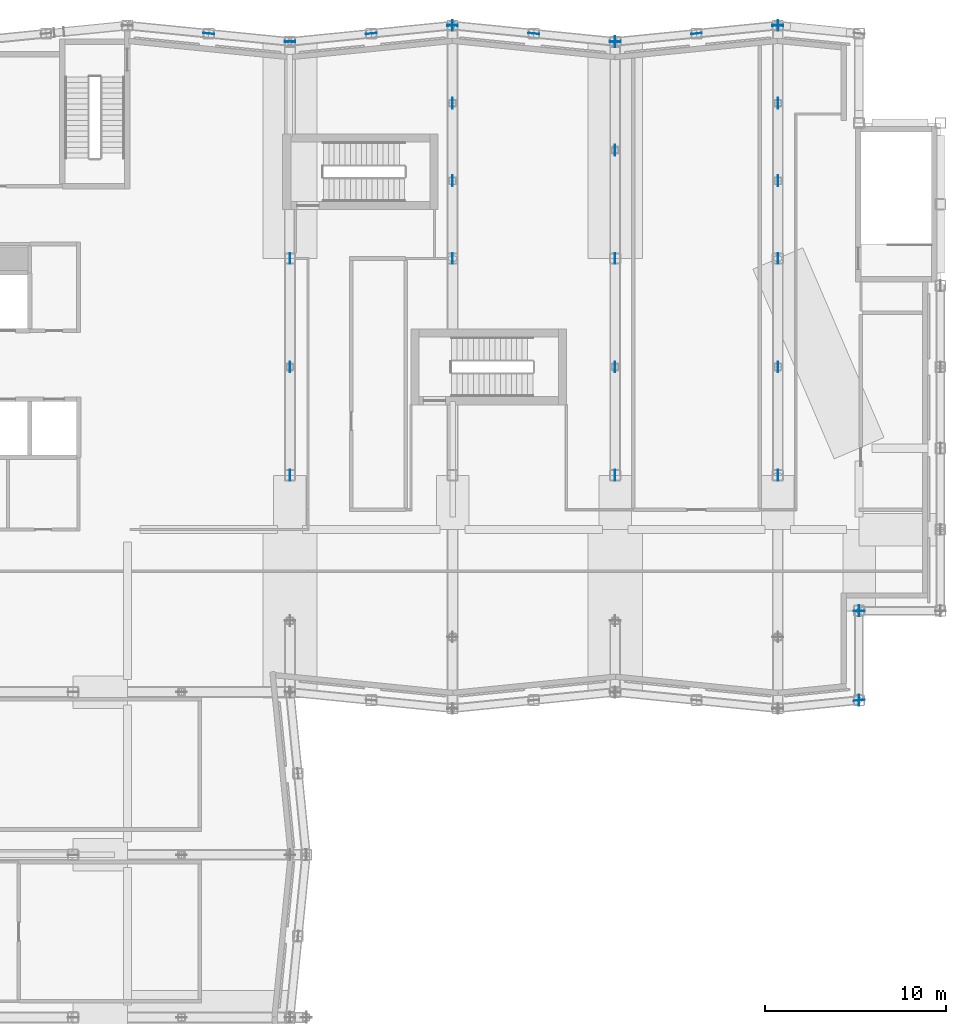
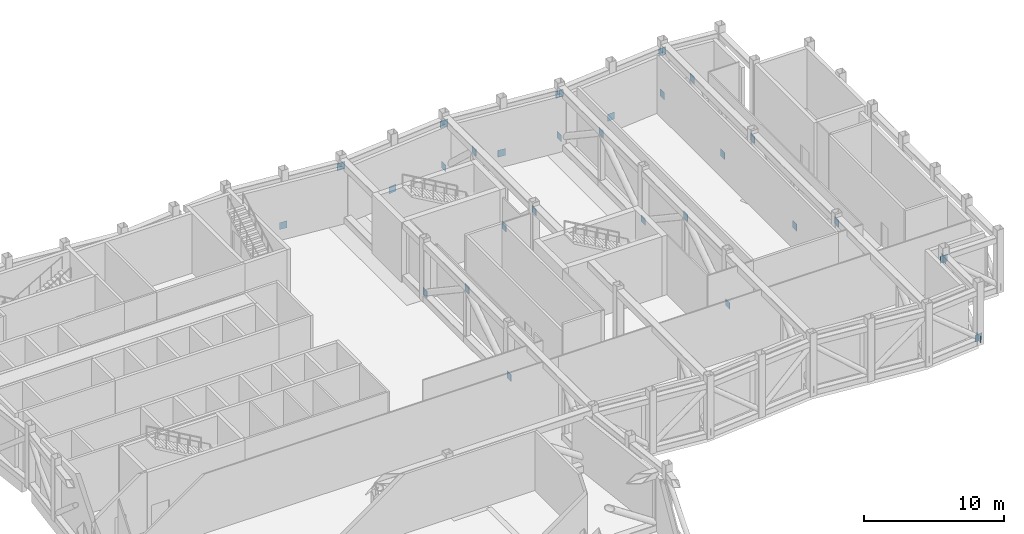
# One storey, part 17 of 22: 34 discrete accessories.
"""IFC4 building model written with IfcOpenShell, lengths in metres."""

from ifc_helpers import new_model, si_unit, direction, frame, origin, origin_2d, place, context, subcontext, project, spatial, rectangle, extrude, material, layer, layer_set, type_object, element, save


model = new_model("IFC4")

# Units and contexts
model_context = context("Model", 3, precision=1e-05, world=origin(), true_north=direction((0.0, 1.0)))
body_context = subcontext(model_context, "Body", "Model", "MODEL_VIEW")
ifc_project = project(units=[si_unit("LENGTHUNIT", "METRE"), si_unit("AREAUNIT", "SQUARE_METRE"), si_unit("VOLUMEUNIT", "CUBIC_METRE"), si_unit("PLANEANGLEUNIT", "RADIAN"), si_unit("MASSUNIT", "GRAM", prefix="KILO")], contexts=[model_context])

# Site, building, storey
site_placement = place(None, origin())
site = spatial("IfcSite", under=ifc_project, at=site_placement, CompositionType="ELEMENT")
building_placement = place(site_placement, origin())
building = spatial("IfcBuilding", under=site, at=building_placement, Name="Brondeck Convention Tower", CompositionType="ELEMENT")
storey_placement = place(building_placement, frame((0.0, 0.0, 32.0)))
storey = spatial("IfcBuildingStorey", under=building, at=storey_placement, Name="L05", CompositionType="ELEMENT", Elevation=32.0)

# Discrete accessories
ifc_material = material(Name="Steel S460", Category="steel")
ifc_layer = layer(ifc_material, 0.02490234375)
ifc_layer_set = layer_set([ifc_layer], Name="Gusset plate 600x600x25 Steel S460")
discrete_accessory_type = type_object("IfcDiscreteAccessoryType", Name="Gusset plate 600x600x25 Steel S460", PredefinedType="BRACKET", material=ifc_layer_set)
for number, where, z_axis, x_axis, name in (
    (1, (67.5, 26.550048828125, 0.199951171875), (0.0, 0.0, 1.0), (0.9950364836, 0.099510784867, 0.0), "Gusset plate GP-30"),
    (2, (67.5, 26.550048828125, 0.199951171875), (0.0, 0.0, 1.0), (0.0, 1.0, 0.0), "Gusset plate GP-31"),
    (3, (67.5, 31.5, 4.050048828125), (0.0, 0.0, 1.0), (0.0, 1.0, 0.0), "Gusset plate GP-32"),
    (4, (67.5, 31.5, 4.050048828125), (0.0, 0.0, 1.0), (1.0, 0.0, 0.0), "Gusset plate GP-33"),
    (5, (63.0, 63.89990234375, 4.050048828125), (0.0, 0.0, 1.0), (-0.9950364836, 0.099510784867, 0.0), "Gusset plate GP-41"),
    (6, (63.0, 63.89990234375, 4.050048828125), (0.0, 0.0, 1.0), (0.9950364836, 0.099510784867, 0.0), "Gusset plate GP-42"),
    (7, (58.5, 63.449951171875, 0.199951171875), (0.0, 0.0, 1.0), (0.9950364836, 0.099510784867, 0.0), "Gusset plate GP-43"),
    (8, (54.0, 63.0, 4.050048828125), (0.0, 0.0, 1.0), (0.9950364836, 0.099510784867, 0.0), "Gusset plate GP-44"),
    (9, (54.0, 63.0, 4.050048828125), (0.0, 0.0, 1.0), (-0.9950364836, 0.099510784867, 0.0), "Gusset plate GP-45"),
    (10, (49.5, 63.449951171875, 0.199951171875), (0.0, 0.0, 1.0), (-0.9950364836, 0.099510784867, 0.0), "Gusset plate GP-46"),
    (11, (45.0, 63.89990234375, 4.050048828125), (0.0, 0.0, 1.0), (-0.9950364836, 0.099510784867, 0.0), "Gusset plate GP-47"),
    (12, (45.0, 63.89990234375, 4.050048828125), (0.0, 0.0, 1.0), (0.9950364836, 0.099510784867, 0.0), "Gusset plate GP-48"),
    (13, (40.5, 63.449951171875, 0.199951171875), (0.0, 0.0, 1.0), (0.9950364836, 0.099510784867, 0.0), "Gusset plate GP-49"),
    (14, (36.0, 63.0, 4.050048828125), (0.0, 0.0, 1.0), (0.9950364836, 0.099510784867, 0.0), "Gusset plate GP-50"),
    (15, (36.0, 63.0, 4.050048828125), (0.0, 0.0, 1.0), (-0.9950364836, 0.099510784867, 0.0), "Gusset plate GP-51"),
    (16, (31.5, 63.449951171875, 0.199951171875), (0.0, 0.0, 1.0), (-0.9950364836, 0.099510784867, 0.0), "Gusset plate GP-52"),
    (17, (36.0, 39.0, 0.300048828125), (0.0, 0.0, 1.0), (0.0, 1.0, 0.0), "Gusset plate GP-87"),
    (18, (36.0, 45.0, 4.300048828125), (0.0, 0.0, 1.0), (0.0, 1.0, 0.0), "Gusset plate GP-88"),
    (19, (36.0, 51.0, 0.300048828125), (0.0, 0.0, 1.0), (0.0, 1.0, 0.0), "Gusset plate GP-89"),
    (20, (45.0, 51.0, 4.300048828125), (0.0, 0.0, 1.0), (0.0, 1.0, 0.0), "Gusset plate GP-92"),
    (21, (45.0, 55.300048828125, 0.300048828125), (0.0, 0.0, 1.0), (0.0, 1.0, 0.0), "Gusset plate GP-93"),
    (22, (45.0, 59.60009765625, 4.300048828125), (0.0, 0.0, 1.0), (0.0, 1.0, 0.0), "Gusset plate GP-94"),
    (23, (45.0, 63.89990234375, 0.300048828125), (0.0, 0.0, 1.0), (0.0, 1.0, 0.0), "Gusset plate GP-95"),
    (24, (54.0, 39.0, 0.300048828125), (0.0, 0.0, 1.0), (0.0, 1.0, 0.0), "Gusset plate GP-98"),
    (25, (54.0, 45.0, 4.300048828125), (0.0, 0.0, 1.0), (0.0, 1.0, 0.0), "Gusset plate GP-99"),
    (26, (54.0, 51.0, 0.300048828125), (0.0, 0.0, 1.0), (0.0, 1.0, 0.0), "Gusset plate GP-100"),
    (27, (54.0, 57.0, 4.300048828125), (0.0, 0.0, 1.0), (0.0, 1.0, 0.0), "Gusset plate GP-101"),
    (28, (54.0, 63.0, 0.300048828125), (0.0, 0.0, 1.0), (0.0, 1.0, 0.0), "Gusset plate GP-102"),
    (29, (63.0, 39.0, 4.300048828125), (0.0, 0.0, 1.0), (0.0, 1.0, 0.0), "Gusset plate GP-105"),
    (30, (63.0, 45.0, 0.300048828125), (0.0, 0.0, 1.0), (0.0, 1.0, 0.0), "Gusset plate GP-106"),
    (31, (63.0, 51.0, 4.300048828125), (0.0, 0.0, 1.0), (0.0, 1.0, 0.0), "Gusset plate GP-107"),
    (32, (63.0, 55.300048828125, 0.300048828125), (0.0, 0.0, 1.0), (0.0, 1.0, 0.0), "Gusset plate GP-108"),
    (33, (63.0, 59.60009765625, 4.300048828125), (0.0, 0.0, 1.0), (0.0, 1.0, 0.0), "Gusset plate GP-109"),
    (34, (63.0, 63.89990234375, 0.300048828125), (0.0, 0.0, 1.0), (0.0, 1.0, 0.0), "Gusset plate GP-110"),
):
    element("IfcDiscreteAccessory", number, at=place(storey_placement, frame(where, z_axis=z_axis, x_axis=x_axis)), inside=storey, type_object=discrete_accessory_type, Name=name, PredefinedType="BRACKET", context=body_context, shape_type="SweptSolid", body=[
        extrude(rectangle(XDim=0.60009765625, YDim=0.02490234375, at=origin_2d()), origin(), (0.0, 0.0, 1.0), 0.60009765625),
    ])

save(model, "model.ifc")
